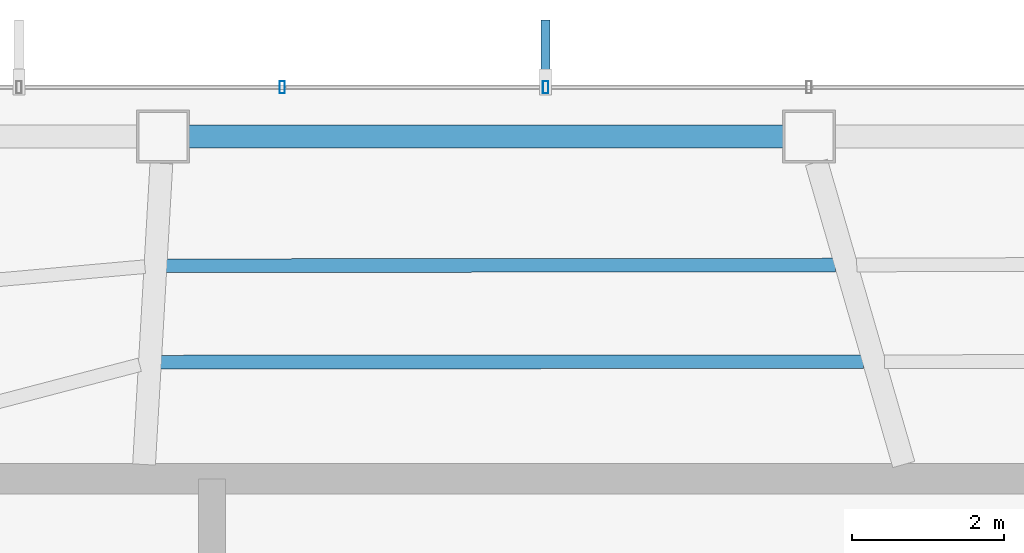
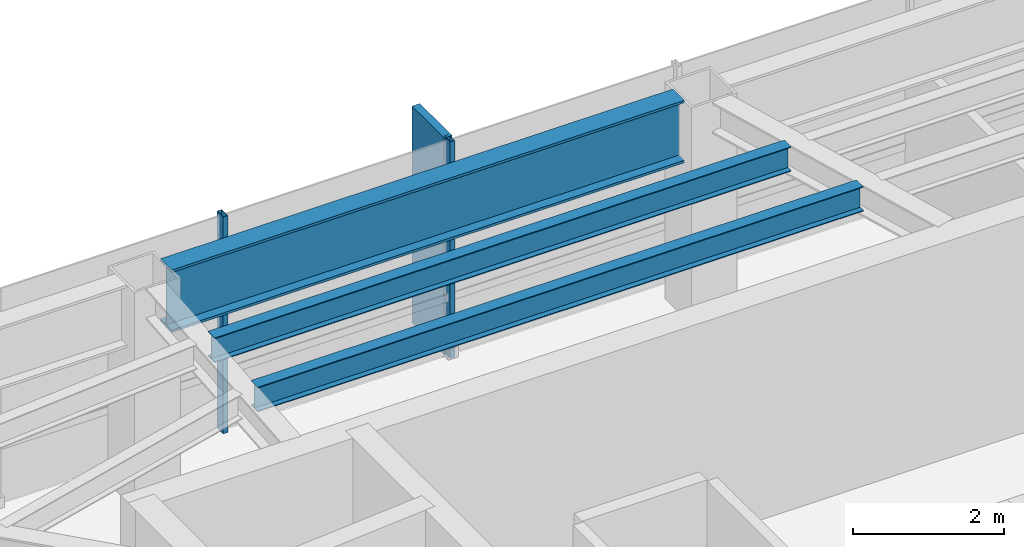
# One storey, part 12 of 28: 3 beams, 3 members, 1 element without a shape of its own.
"""IFC4 building model written with IfcOpenShell, lengths in metres."""

from ifc_helpers import new_model, si_unit, direction, frame, origin, origin_2d, place, context, subcontext, project, spatial, rectangle, hollow_rectangle, i_section, extrude, material, layer, layer_set, material_profile, profile_set, type_object, element, aggregate, save


model = new_model("IFC4")

# Units and contexts
model_context = context("Model", 3, precision=1e-05, world=origin(), true_north=direction((0.0, 1.0)))
body_context = subcontext(model_context, "Body", "Model", "MODEL_VIEW")
ifc_project = project(units=[si_unit("LENGTHUNIT", "METRE"), si_unit("AREAUNIT", "SQUARE_METRE"), si_unit("VOLUMEUNIT", "CUBIC_METRE"), si_unit("PLANEANGLEUNIT", "RADIAN"), si_unit("MASSUNIT", "GRAM", prefix="KILO")], contexts=[model_context])

# Site, building, storey
site_placement = place(None, origin())
site = spatial("IfcSite", under=ifc_project, at=site_placement, CompositionType="ELEMENT")
building_placement = place(site_placement, origin())
building = spatial("IfcBuilding", under=site, at=building_placement, Name="Zarrinselat Tower", CompositionType="ELEMENT")
storey_placement = place(building_placement, frame((0.0, 0.0, 187.0)))
storey = spatial("IfcBuildingStorey", under=building, at=storey_placement, Name="L46", CompositionType="ELEMENT", Elevation=187.0)

# Beams
ifc_material_1 = material(Name="Steel S460M", Category="steel")
ifc_material_profile_1 = material_profile(ifc_material_1, i_section(OverallWidth=0.302001953125, OverallDepth=1.008056640625, WebThickness=0.02099609375, FlangeThickness=0.0400390625, at=origin_2d()), Name="HEM 1000")
ifc_profile_set_1 = profile_set([ifc_material_profile_1], Name="Steel S460M")
beam_type_1 = type_object("IfcBeamType", Name="BM-HEM1000", PredefinedType="BEAM", material=ifc_profile_set_1)
beam_1_placement = place(storey_placement, frame((31.58642578125, 47.95556640625, 2.99609375), z_axis=(1.0, 0.0, 0.0), x_axis=(0.0, 1.0, 0.0)))
element("IfcBeam", 1, at=beam_1_placement, inside=storey, type_object=beam_type_1, Name="L46 Perimeter Spandrel Girder SP03", PredefinedType="BEAM", context=body_context, shape_type="SweptSolid", body=[
    extrude(i_section(OverallWidth=0.302001953125, OverallDepth=1.008056640625, WebThickness=0.02099609375, FlangeThickness=0.0400390625, at=origin_2d()), origin(), (0.0, 0.0, 1.0), 7.827880859375),
])
ifc_material_2 = material(Name="Steel S355J2", Category="steel")
ifc_material_profile_2 = material_profile(ifc_material_2, i_section(OverallWidth=0.179931640625, OverallDepth=0.39990234375, WebThickness=0.008544921875, FlangeThickness=0.013427734375, at=origin_2d()), Name="IPE 400")
ifc_profile_set_2 = profile_set([ifc_material_profile_2], Name="Steel S355J2")
beam_type_2 = type_object("IfcBeamType", Name="BM-IPE400", PredefinedType="JOIST", material=ifc_profile_set_2)
beam_2_placement = place(storey_placement, frame((31.290771484375, 46.256591796875, 3.300048828125), z_axis=(0.99999955616, 0.000942167121, 0.0), x_axis=(-0.000942167121, 0.99999955616, 0.0)))
element("IfcBeam", 2, at=beam_2_placement, inside=storey, type_object=beam_type_2, Name="L46 Composite Floor Joist 8-1", PredefinedType="JOIST", context=body_context, shape_type="SweptSolid", body=[
    extrude(i_section(OverallWidth=0.179931640625, OverallDepth=0.39990234375, WebThickness=0.008544921875, FlangeThickness=0.013427734375, at=origin_2d()), origin(), (0.0, 0.0, 1.0), 8.810302734375),
])
beam_3_placement = place(storey_placement, frame((31.217529296875, 44.98779296875, 3.300048828125), z_axis=(0.999999887183, 0.000475009183, 0.0), x_axis=(-0.000475009183, 0.999999887183, 0.0)))
element("IfcBeam", 3, at=beam_3_placement, inside=storey, type_object=beam_type_2, Name="L46 Composite Floor Joist 8-2", PredefinedType="JOIST", context=body_context, shape_type="SweptSolid", body=[
    extrude(i_section(OverallWidth=0.179931640625, OverallDepth=0.39990234375, WebThickness=0.008544921875, FlangeThickness=0.013427734375, at=origin_2d()), origin(), (0.0, 0.0, 1.0), 9.25146484375),
])

# Curtain wall, members
ifc_material_3 = material(Name="Extruded Aluminium Alloy EN AW-6063 T6", Category="aluminium")
ifc_layer = layer(ifc_material_3, 0.175048828125)
ifc_layer_set = layer_set([ifc_layer], Name="Extruded Aluminium Alloy EN AW-6063 T6")
curtain_wall_type = type_object("IfcCurtainWallType", Name="CWS-HTL", PredefinedType="NOTDEFINED", material=ifc_layer_set)
curtain_wall_placement = place(storey_placement, origin())
curtain_wall = element("IfcCurtainWall", 4, at=curtain_wall_placement, inside=storey, type_object=curtain_wall_type, Name="L46 Unitised Curtain Wall CW-L46-E01", PredefinedType="NOTDEFINED")
ifc_material_4 = material(Name="Extruded Aluminium Alloy EN AW-6063 T6", Category="aluminium")
ifc_material_profile_3 = material_profile(ifc_material_4, hollow_rectangle(XDim=0.070068359375, YDim=0.159912109375, WallThickness=0.00390625, at=origin_2d()), Name="RHS 160x70x4")
ifc_profile_set_3 = profile_set([ifc_material_profile_3], Name="Extruded Aluminium Alloy EN AW-6063 T6")
member_type_1 = type_object("IfcMemberType", Name="MEM-CW-MUL2", PredefinedType="MULLION", material=ifc_profile_set_3)
member_1_placement = place(storey_placement, frame((36.2861328125, 48.605712890625, 0.0), z_axis=(0.0, 0.0, 1.0), x_axis=(-1.0, 0.0, 0.0)))
member_1 = element("IfcMember", 5, at=member_1_placement, type_object=member_type_1, Name="CW-L46-E01 Mullion 7", PredefinedType="MULLION", context=body_context, shape_type="SweptSolid", body=[
    extrude(hollow_rectangle(XDim=0.070068359375, YDim=0.159912109375, WallThickness=0.00390625, at=origin_2d()), origin(), (0.0, 0.0, 1.0), 3.5),
])
member_2_placement = place(storey_placement, frame((32.820068359375, 48.605712890625, 0.0), z_axis=(0.0, 0.0, 1.0), x_axis=(-1.0, 0.0, 0.0)))
member_2 = element("IfcMember", 6, at=member_2_placement, type_object=member_type_1, Name="CW-L46-E01 Mullion 8", PredefinedType="MULLION", context=body_context, shape_type="SweptSolid", body=[
    extrude(hollow_rectangle(XDim=0.070068359375, YDim=0.159912109375, WallThickness=0.00390625, at=origin_2d()), origin(), (0.0, 0.0, 1.0), 3.5),
])
ifc_material_5 = material(Name="Honed Cream Travertine Stone", Category="masonry")
ifc_material_profile_4 = material_profile(ifc_material_5, rectangle(XDim=0.1201171875, YDim=0.85009765625, at=origin_2d()), Name="FIN 850x120")
ifc_profile_set_4 = profile_set([ifc_material_profile_4], Name="Honed Cream Travertine Stone")
member_type_2 = type_object("IfcMemberType", Name="MEM-STONE-FIN", PredefinedType="USERDEFINED", material=ifc_profile_set_4)
member_3_placement = place(storey_placement, frame((36.2861328125, 49.065673828125, 0.0), z_axis=(0.0, 0.0, 1.0), x_axis=(1.0, 0.0, 0.0)))
member_3 = element("IfcMember", 7, at=member_3_placement, type_object=member_type_2, Name="L46 Stone Shading Fin CW-L46-E01-07", ObjectType="FIN", PredefinedType="USERDEFINED", context=body_context, shape_type="SweptSolid", body=[
    extrude(rectangle(XDim=0.1201171875, YDim=0.85009765625, at=origin_2d()), origin(), (0.0, 0.0, 1.0), 3.5),
])
aggregate(curtain_wall, [member_1, member_3, member_2])

save(model, "model.ifc")
